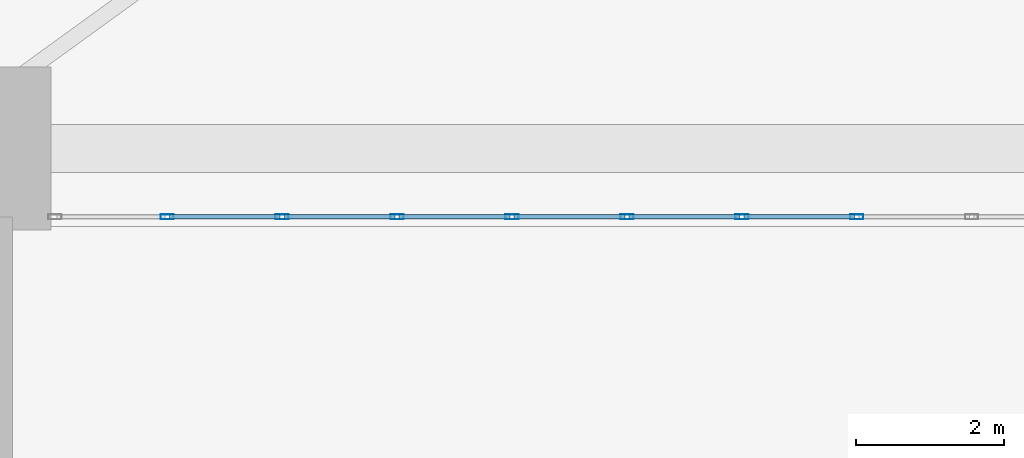
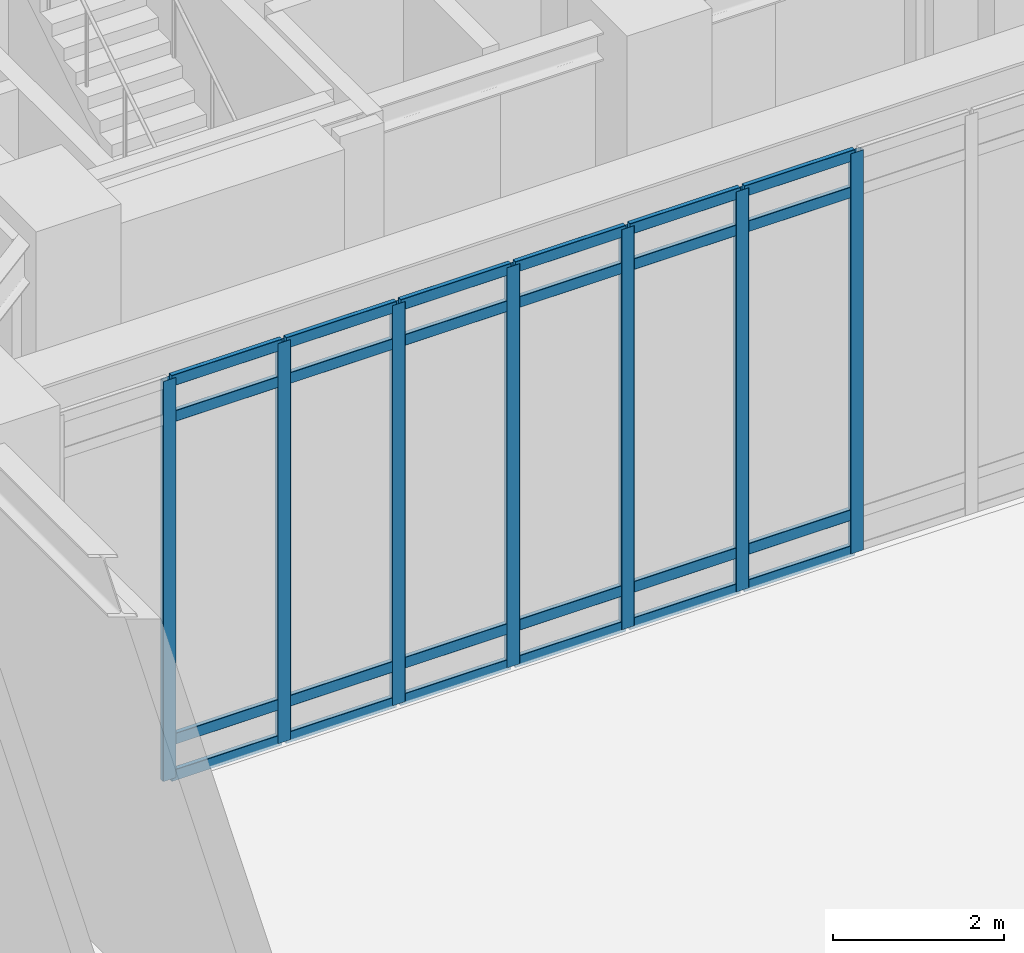
# One storey, part 4 of 27: 31 members, 1 element without a shape of its own.
"""IFC4 building model written with IfcOpenShell, lengths in metres."""

from ifc_helpers import new_model, si_unit, direction, frame, origin, origin_2d, place, context, subcontext, project, spatial, hollow_rectangle, extrude, material, layer, layer_set, material_profile, profile_set, type_object, element, aggregate, save


model = new_model("IFC4")

# Units and contexts
model_context = context("Model", 3, precision=1e-05, world=origin(), true_north=direction((0.0, 1.0)))
body_context = subcontext(model_context, "Body", "Model", "MODEL_VIEW")
ifc_project = project(units=[si_unit("LENGTHUNIT", "METRE"), si_unit("AREAUNIT", "SQUARE_METRE"), si_unit("VOLUMEUNIT", "CUBIC_METRE"), si_unit("PLANEANGLEUNIT", "RADIAN"), si_unit("MASSUNIT", "GRAM", prefix="KILO")], contexts=[model_context])

# Site, building, storey
site_placement = place(None, origin())
site = spatial("IfcSite", under=ifc_project, at=site_placement, CompositionType="ELEMENT")
building_placement = place(site_placement, origin())
building = spatial("IfcBuilding", under=site, at=building_placement, Name="Ndelora Gate Hotel", CompositionType="ELEMENT")
storey_placement = place(building_placement, origin())
storey = spatial("IfcBuildingStorey", under=building, at=storey_placement, Name="L00", CompositionType="ELEMENT", Elevation=0.0)

# Curtain wall, members
ifc_material_1 = material(Name="Bronze Anodised Unitised Aluminium and Low-E Glass", Category="aluminium")
ifc_layer = layer(ifc_material_1, 0.239990234375)
ifc_layer_set = layer_set([ifc_layer], Name="Bronze Anodised Unitised Aluminium and Low-E Glass")
curtain_wall_type = type_object("IfcCurtainWallType", Name="CW-SYS-1", PredefinedType="NOTDEFINED", material=ifc_layer_set)
curtain_wall_placement = place(storey_placement, origin())
curtain_wall = element("IfcCurtainWall", 1, at=curtain_wall_placement, inside=storey, type_object=curtain_wall_type, Name="L00 South Portal Arch Concourse Curtain Wall CW1", PredefinedType="NOTDEFINED")
ifc_material_2 = material(Name="Bronze Anodised Aluminium 6063-T6", Category="aluminium")
ifc_material_profile_1 = material_profile(ifc_material_2, hollow_rectangle(XDim=0.070068359375, YDim=0.179931640625, WallThickness=0.0048828125, InnerFilletRadius=0.0048828125, OuterFilletRadius=0.010009765625, at=origin_2d()), Name="ALU 180x70x5")
ifc_profile_set_1 = profile_set([ifc_material_profile_1], Name="Bronze Anodised Aluminium 6063-T6")
member_type_1 = type_object("IfcMemberType", Name="MB-CW-MUL180", PredefinedType="MULLION", material=ifc_profile_set_1)
member_1_placement = place(storey_placement, frame((-8.529296875, -10.320068359375, -0.00390625), z_axis=(0.0, 0.0, 1.0), x_axis=(0.0, 1.0, 0.0)))
member_1 = element("IfcMember", 2, at=member_1_placement, type_object=member_type_1, Name="CW1 mullion 2", PredefinedType="MULLION", context=body_context, shape_type="SweptSolid", body=[
    extrude(hollow_rectangle(XDim=0.070068359375, YDim=0.179931640625, WallThickness=0.0048828125, InnerFilletRadius=0.0048828125, OuterFilletRadius=0.010009765625, at=origin_2d()), origin(), (0.0, 0.0, 1.0), 5.72802734375),
])
member_2_placement = place(storey_placement, frame((-6.978515625, -10.320068359375, -0.00390625), z_axis=(0.0, 0.0, 1.0), x_axis=(0.0, 1.0, 0.0)))
member_2 = element("IfcMember", 3, at=member_2_placement, type_object=member_type_1, Name="CW1 mullion 3", PredefinedType="MULLION", context=body_context, shape_type="SweptSolid", body=[
    extrude(hollow_rectangle(XDim=0.070068359375, YDim=0.179931640625, WallThickness=0.0048828125, InnerFilletRadius=0.0048828125, OuterFilletRadius=0.010009765625, at=origin_2d()), origin(), (0.0, 0.0, 1.0), 5.72802734375),
])
member_3_placement = place(storey_placement, frame((-5.427734375, -10.320068359375, -0.00390625), z_axis=(0.0, 0.0, 1.0), x_axis=(0.0, 1.0, 0.0)))
member_3 = element("IfcMember", 4, at=member_3_placement, type_object=member_type_1, Name="CW1 mullion 4", PredefinedType="MULLION", context=body_context, shape_type="SweptSolid", body=[
    extrude(hollow_rectangle(XDim=0.070068359375, YDim=0.179931640625, WallThickness=0.0048828125, InnerFilletRadius=0.0048828125, OuterFilletRadius=0.010009765625, at=origin_2d()), origin(), (0.0, 0.0, 1.0), 5.72802734375),
])
member_4_placement = place(storey_placement, frame((-3.876953125, -10.320068359375, -0.00390625), z_axis=(0.0, 0.0, 1.0), x_axis=(0.0, 1.0, 0.0)))
member_4 = element("IfcMember", 5, at=member_4_placement, type_object=member_type_1, Name="CW1 mullion 5", PredefinedType="MULLION", context=body_context, shape_type="SweptSolid", body=[
    extrude(hollow_rectangle(XDim=0.070068359375, YDim=0.179931640625, WallThickness=0.0048828125, InnerFilletRadius=0.0048828125, OuterFilletRadius=0.010009765625, at=origin_2d()), origin(), (0.0, 0.0, 1.0), 5.72802734375),
])
member_5_placement = place(storey_placement, frame((-2.326171875, -10.320068359375, -0.00390625), z_axis=(0.0, 0.0, 1.0), x_axis=(0.0, 1.0, 0.0)))
member_5 = element("IfcMember", 6, at=member_5_placement, type_object=member_type_1, Name="CW1 mullion 6", PredefinedType="MULLION", context=body_context, shape_type="SweptSolid", body=[
    extrude(hollow_rectangle(XDim=0.070068359375, YDim=0.179931640625, WallThickness=0.0048828125, InnerFilletRadius=0.0048828125, OuterFilletRadius=0.010009765625, at=origin_2d()), origin(), (0.0, 0.0, 1.0), 5.72802734375),
])
member_6_placement = place(storey_placement, frame((-0.775390625, -10.320068359375, -0.00390625), z_axis=(0.0, 0.0, 1.0), x_axis=(0.0, 1.0, 0.0)))
member_6 = element("IfcMember", 7, at=member_6_placement, type_object=member_type_1, Name="CW1 mullion 7", PredefinedType="MULLION", context=body_context, shape_type="SweptSolid", body=[
    extrude(hollow_rectangle(XDim=0.070068359375, YDim=0.179931640625, WallThickness=0.0048828125, InnerFilletRadius=0.0048828125, OuterFilletRadius=0.010009765625, at=origin_2d()), origin(), (0.0, 0.0, 1.0), 5.72802734375),
])
member_7_placement = place(storey_placement, frame((0.775390625, -10.320068359375, -0.00390625), z_axis=(0.0, 0.0, 1.0), x_axis=(0.0, 1.0, 0.0)))
member_7 = element("IfcMember", 8, at=member_7_placement, type_object=member_type_1, Name="CW1 mullion 8", PredefinedType="MULLION", context=body_context, shape_type="SweptSolid", body=[
    extrude(hollow_rectangle(XDim=0.070068359375, YDim=0.179931640625, WallThickness=0.0048828125, InnerFilletRadius=0.0048828125, OuterFilletRadius=0.010009765625, at=origin_2d()), origin(), (0.0, 0.0, 1.0), 5.72802734375),
])
ifc_material_profile_2 = material_profile(ifc_material_2, hollow_rectangle(XDim=0.06494140625, YDim=0.159912109375, WallThickness=0.00390625, InnerFilletRadius=0.00390625, OuterFilletRadius=0.008056640625, at=origin_2d()), Name="ALU 160x65x4")
ifc_profile_set_2 = profile_set([ifc_material_profile_2], Name="Bronze Anodised Aluminium 6063-T6")
member_type_2 = type_object("IfcMemberType", Name="MB-CW-TRN150", PredefinedType="USERDEFINED", material=ifc_profile_set_2)
member_8_placement = place(storey_placement, frame((-8.500244140625, -10.320068359375, 0.032470703125), z_axis=(1.0, 0.0, 0.0), x_axis=(0.0, 1.0, 0.0)))
member_8 = element("IfcMember", 9, at=member_8_placement, type_object=member_type_2, Name="CW1 transom 2.1", ObjectType="TRANSOM", PredefinedType="USERDEFINED", context=body_context, shape_type="SweptSolid", body=[
    extrude(hollow_rectangle(XDim=0.06494140625, YDim=0.159912109375, WallThickness=0.00390625, InnerFilletRadius=0.00390625, OuterFilletRadius=0.008056640625, at=origin_2d()), origin(), (0.0, 0.0, 1.0), 1.49267578125),
])
member_9_placement = place(storey_placement, frame((-8.500244140625, -10.320068359375, 0.550048828125), z_axis=(1.0, 0.0, 0.0), x_axis=(0.0, 1.0, 0.0)))
member_9 = element("IfcMember", 10, at=member_9_placement, type_object=member_type_2, Name="CW1 transom 2.2", ObjectType="TRANSOM", PredefinedType="USERDEFINED", context=body_context, shape_type="SweptSolid", body=[
    extrude(hollow_rectangle(XDim=0.06494140625, YDim=0.159912109375, WallThickness=0.00390625, InnerFilletRadius=0.00390625, OuterFilletRadius=0.008056640625, at=origin_2d()), origin(), (0.0, 0.0, 1.0), 1.49267578125),
])
member_10_placement = place(storey_placement, frame((-8.500244140625, -10.320068359375, 5.169921875), z_axis=(1.0, 0.0, 0.0), x_axis=(0.0, 1.0, 0.0)))
member_10 = element("IfcMember", 11, at=member_10_placement, type_object=member_type_2, Name="CW1 transom 2.3", ObjectType="TRANSOM", PredefinedType="USERDEFINED", context=body_context, shape_type="SweptSolid", body=[
    extrude(hollow_rectangle(XDim=0.06494140625, YDim=0.159912109375, WallThickness=0.00390625, InnerFilletRadius=0.00390625, OuterFilletRadius=0.008056640625, at=origin_2d()), origin(), (0.0, 0.0, 1.0), 1.49267578125),
])
member_11_placement = place(storey_placement, frame((-8.500244140625, -10.320068359375, 5.6875), z_axis=(1.0, 0.0, 0.0), x_axis=(0.0, 1.0, 0.0)))
member_11 = element("IfcMember", 12, at=member_11_placement, type_object=member_type_2, Name="CW1 transom 2.4", ObjectType="TRANSOM", PredefinedType="USERDEFINED", context=body_context, shape_type="SweptSolid", body=[
    extrude(hollow_rectangle(XDim=0.06494140625, YDim=0.159912109375, WallThickness=0.00390625, InnerFilletRadius=0.00390625, OuterFilletRadius=0.008056640625, at=origin_2d()), origin(), (0.0, 0.0, 1.0), 1.49267578125),
])
member_12_placement = place(storey_placement, frame((-6.949462890625, -10.320068359375, 0.032470703125), z_axis=(1.0, 0.0, 0.0), x_axis=(0.0, 1.0, 0.0)))
member_12 = element("IfcMember", 13, at=member_12_placement, type_object=member_type_2, Name="CW1 transom 3.1", ObjectType="TRANSOM", PredefinedType="USERDEFINED", context=body_context, shape_type="SweptSolid", body=[
    extrude(hollow_rectangle(XDim=0.06494140625, YDim=0.159912109375, WallThickness=0.00390625, InnerFilletRadius=0.00390625, OuterFilletRadius=0.008056640625, at=origin_2d()), origin(), (0.0, 0.0, 1.0), 1.49267578125),
])
member_13_placement = place(storey_placement, frame((-6.949462890625, -10.320068359375, 0.550048828125), z_axis=(1.0, 0.0, 0.0), x_axis=(0.0, 1.0, 0.0)))
member_13 = element("IfcMember", 14, at=member_13_placement, type_object=member_type_2, Name="CW1 transom 3.2", ObjectType="TRANSOM", PredefinedType="USERDEFINED", context=body_context, shape_type="SweptSolid", body=[
    extrude(hollow_rectangle(XDim=0.06494140625, YDim=0.159912109375, WallThickness=0.00390625, InnerFilletRadius=0.00390625, OuterFilletRadius=0.008056640625, at=origin_2d()), origin(), (0.0, 0.0, 1.0), 1.49267578125),
])
member_14_placement = place(storey_placement, frame((-6.949462890625, -10.320068359375, 5.169921875), z_axis=(1.0, 0.0, 0.0), x_axis=(0.0, 1.0, 0.0)))
member_14 = element("IfcMember", 15, at=member_14_placement, type_object=member_type_2, Name="CW1 transom 3.3", ObjectType="TRANSOM", PredefinedType="USERDEFINED", context=body_context, shape_type="SweptSolid", body=[
    extrude(hollow_rectangle(XDim=0.06494140625, YDim=0.159912109375, WallThickness=0.00390625, InnerFilletRadius=0.00390625, OuterFilletRadius=0.008056640625, at=origin_2d()), origin(), (0.0, 0.0, 1.0), 1.49267578125),
])
member_15_placement = place(storey_placement, frame((-6.949462890625, -10.320068359375, 5.6875), z_axis=(1.0, 0.0, 0.0), x_axis=(0.0, 1.0, 0.0)))
member_15 = element("IfcMember", 16, at=member_15_placement, type_object=member_type_2, Name="CW1 transom 3.4", ObjectType="TRANSOM", PredefinedType="USERDEFINED", context=body_context, shape_type="SweptSolid", body=[
    extrude(hollow_rectangle(XDim=0.06494140625, YDim=0.159912109375, WallThickness=0.00390625, InnerFilletRadius=0.00390625, OuterFilletRadius=0.008056640625, at=origin_2d()), origin(), (0.0, 0.0, 1.0), 1.49267578125),
])
member_16_placement = place(storey_placement, frame((-5.398681640625, -10.320068359375, 0.032470703125), z_axis=(1.0, 0.0, 0.0), x_axis=(0.0, 1.0, 0.0)))
member_16 = element("IfcMember", 17, at=member_16_placement, type_object=member_type_2, Name="CW1 transom 4.1", ObjectType="TRANSOM", PredefinedType="USERDEFINED", context=body_context, shape_type="SweptSolid", body=[
    extrude(hollow_rectangle(XDim=0.06494140625, YDim=0.159912109375, WallThickness=0.00390625, InnerFilletRadius=0.00390625, OuterFilletRadius=0.008056640625, at=origin_2d()), origin(), (0.0, 0.0, 1.0), 1.49267578125),
])
member_17_placement = place(storey_placement, frame((-5.398681640625, -10.320068359375, 0.550048828125), z_axis=(1.0, 0.0, 0.0), x_axis=(0.0, 1.0, 0.0)))
member_17 = element("IfcMember", 18, at=member_17_placement, type_object=member_type_2, Name="CW1 transom 4.2", ObjectType="TRANSOM", PredefinedType="USERDEFINED", context=body_context, shape_type="SweptSolid", body=[
    extrude(hollow_rectangle(XDim=0.06494140625, YDim=0.159912109375, WallThickness=0.00390625, InnerFilletRadius=0.00390625, OuterFilletRadius=0.008056640625, at=origin_2d()), origin(), (0.0, 0.0, 1.0), 1.49267578125),
])
member_18_placement = place(storey_placement, frame((-5.398681640625, -10.320068359375, 5.169921875), z_axis=(1.0, 0.0, 0.0), x_axis=(0.0, 1.0, 0.0)))
member_18 = element("IfcMember", 19, at=member_18_placement, type_object=member_type_2, Name="CW1 transom 4.3", ObjectType="TRANSOM", PredefinedType="USERDEFINED", context=body_context, shape_type="SweptSolid", body=[
    extrude(hollow_rectangle(XDim=0.06494140625, YDim=0.159912109375, WallThickness=0.00390625, InnerFilletRadius=0.00390625, OuterFilletRadius=0.008056640625, at=origin_2d()), origin(), (0.0, 0.0, 1.0), 1.49267578125),
])
member_19_placement = place(storey_placement, frame((-5.398681640625, -10.320068359375, 5.6875), z_axis=(1.0, 0.0, 0.0), x_axis=(0.0, 1.0, 0.0)))
member_19 = element("IfcMember", 20, at=member_19_placement, type_object=member_type_2, Name="CW1 transom 4.4", ObjectType="TRANSOM", PredefinedType="USERDEFINED", context=body_context, shape_type="SweptSolid", body=[
    extrude(hollow_rectangle(XDim=0.06494140625, YDim=0.159912109375, WallThickness=0.00390625, InnerFilletRadius=0.00390625, OuterFilletRadius=0.008056640625, at=origin_2d()), origin(), (0.0, 0.0, 1.0), 1.49267578125),
])
member_20_placement = place(storey_placement, frame((-3.847900390625, -10.320068359375, 0.032470703125), z_axis=(1.0, 0.0, 0.0), x_axis=(0.0, 1.0, 0.0)))
member_20 = element("IfcMember", 21, at=member_20_placement, type_object=member_type_2, Name="CW1 transom 5.1", ObjectType="TRANSOM", PredefinedType="USERDEFINED", context=body_context, shape_type="SweptSolid", body=[
    extrude(hollow_rectangle(XDim=0.06494140625, YDim=0.159912109375, WallThickness=0.00390625, InnerFilletRadius=0.00390625, OuterFilletRadius=0.008056640625, at=origin_2d()), origin(), (0.0, 0.0, 1.0), 1.49267578125),
])
member_21_placement = place(storey_placement, frame((-3.847900390625, -10.320068359375, 0.550048828125), z_axis=(1.0, 0.0, 0.0), x_axis=(0.0, 1.0, 0.0)))
member_21 = element("IfcMember", 22, at=member_21_placement, type_object=member_type_2, Name="CW1 transom 5.2", ObjectType="TRANSOM", PredefinedType="USERDEFINED", context=body_context, shape_type="SweptSolid", body=[
    extrude(hollow_rectangle(XDim=0.06494140625, YDim=0.159912109375, WallThickness=0.00390625, InnerFilletRadius=0.00390625, OuterFilletRadius=0.008056640625, at=origin_2d()), origin(), (0.0, 0.0, 1.0), 1.49267578125),
])
member_22_placement = place(storey_placement, frame((-3.847900390625, -10.320068359375, 5.169921875), z_axis=(1.0, 0.0, 0.0), x_axis=(0.0, 1.0, 0.0)))
member_22 = element("IfcMember", 23, at=member_22_placement, type_object=member_type_2, Name="CW1 transom 5.3", ObjectType="TRANSOM", PredefinedType="USERDEFINED", context=body_context, shape_type="SweptSolid", body=[
    extrude(hollow_rectangle(XDim=0.06494140625, YDim=0.159912109375, WallThickness=0.00390625, InnerFilletRadius=0.00390625, OuterFilletRadius=0.008056640625, at=origin_2d()), origin(), (0.0, 0.0, 1.0), 1.49267578125),
])
member_23_placement = place(storey_placement, frame((-3.847900390625, -10.320068359375, 5.6875), z_axis=(1.0, 0.0, 0.0), x_axis=(0.0, 1.0, 0.0)))
member_23 = element("IfcMember", 24, at=member_23_placement, type_object=member_type_2, Name="CW1 transom 5.4", ObjectType="TRANSOM", PredefinedType="USERDEFINED", context=body_context, shape_type="SweptSolid", body=[
    extrude(hollow_rectangle(XDim=0.06494140625, YDim=0.159912109375, WallThickness=0.00390625, InnerFilletRadius=0.00390625, OuterFilletRadius=0.008056640625, at=origin_2d()), origin(), (0.0, 0.0, 1.0), 1.49267578125),
])
member_24_placement = place(storey_placement, frame((-2.297119140625, -10.320068359375, 0.032470703125), z_axis=(1.0, 0.0, 0.0), x_axis=(0.0, 1.0, 0.0)))
member_24 = element("IfcMember", 25, at=member_24_placement, type_object=member_type_2, Name="CW1 transom 6.1", ObjectType="TRANSOM", PredefinedType="USERDEFINED", context=body_context, shape_type="SweptSolid", body=[
    extrude(hollow_rectangle(XDim=0.06494140625, YDim=0.159912109375, WallThickness=0.00390625, InnerFilletRadius=0.00390625, OuterFilletRadius=0.008056640625, at=origin_2d()), origin(), (0.0, 0.0, 1.0), 1.49267578125),
])
member_25_placement = place(storey_placement, frame((-2.297119140625, -10.320068359375, 0.550048828125), z_axis=(1.0, 0.0, 0.0), x_axis=(0.0, 1.0, 0.0)))
member_25 = element("IfcMember", 26, at=member_25_placement, type_object=member_type_2, Name="CW1 transom 6.2", ObjectType="TRANSOM", PredefinedType="USERDEFINED", context=body_context, shape_type="SweptSolid", body=[
    extrude(hollow_rectangle(XDim=0.06494140625, YDim=0.159912109375, WallThickness=0.00390625, InnerFilletRadius=0.00390625, OuterFilletRadius=0.008056640625, at=origin_2d()), origin(), (0.0, 0.0, 1.0), 1.49267578125),
])
member_26_placement = place(storey_placement, frame((-2.297119140625, -10.320068359375, 5.169921875), z_axis=(1.0, 0.0, 0.0), x_axis=(0.0, 1.0, 0.0)))
member_26 = element("IfcMember", 27, at=member_26_placement, type_object=member_type_2, Name="CW1 transom 6.3", ObjectType="TRANSOM", PredefinedType="USERDEFINED", context=body_context, shape_type="SweptSolid", body=[
    extrude(hollow_rectangle(XDim=0.06494140625, YDim=0.159912109375, WallThickness=0.00390625, InnerFilletRadius=0.00390625, OuterFilletRadius=0.008056640625, at=origin_2d()), origin(), (0.0, 0.0, 1.0), 1.49267578125),
])
member_27_placement = place(storey_placement, frame((-2.297119140625, -10.320068359375, 5.6875), z_axis=(1.0, 0.0, 0.0), x_axis=(0.0, 1.0, 0.0)))
member_27 = element("IfcMember", 28, at=member_27_placement, type_object=member_type_2, Name="CW1 transom 6.4", ObjectType="TRANSOM", PredefinedType="USERDEFINED", context=body_context, shape_type="SweptSolid", body=[
    extrude(hollow_rectangle(XDim=0.06494140625, YDim=0.159912109375, WallThickness=0.00390625, InnerFilletRadius=0.00390625, OuterFilletRadius=0.008056640625, at=origin_2d()), origin(), (0.0, 0.0, 1.0), 1.49267578125),
])
member_28_placement = place(storey_placement, frame((-0.746337890625, -10.320068359375, 0.032470703125), z_axis=(1.0, 0.0, 0.0), x_axis=(0.0, 1.0, 0.0)))
member_28 = element("IfcMember", 29, at=member_28_placement, type_object=member_type_2, Name="CW1 transom 7.1", ObjectType="TRANSOM", PredefinedType="USERDEFINED", context=body_context, shape_type="SweptSolid", body=[
    extrude(hollow_rectangle(XDim=0.06494140625, YDim=0.159912109375, WallThickness=0.00390625, InnerFilletRadius=0.00390625, OuterFilletRadius=0.008056640625, at=origin_2d()), origin(), (0.0, 0.0, 1.0), 1.49267578125),
])
member_29_placement = place(storey_placement, frame((-0.746337890625, -10.320068359375, 0.550048828125), z_axis=(1.0, 0.0, 0.0), x_axis=(0.0, 1.0, 0.0)))
member_29 = element("IfcMember", 30, at=member_29_placement, type_object=member_type_2, Name="CW1 transom 7.2", ObjectType="TRANSOM", PredefinedType="USERDEFINED", context=body_context, shape_type="SweptSolid", body=[
    extrude(hollow_rectangle(XDim=0.06494140625, YDim=0.159912109375, WallThickness=0.00390625, InnerFilletRadius=0.00390625, OuterFilletRadius=0.008056640625, at=origin_2d()), origin(), (0.0, 0.0, 1.0), 1.49267578125),
])
member_30_placement = place(storey_placement, frame((-0.746337890625, -10.320068359375, 5.169921875), z_axis=(1.0, 0.0, 0.0), x_axis=(0.0, 1.0, 0.0)))
member_30 = element("IfcMember", 31, at=member_30_placement, type_object=member_type_2, Name="CW1 transom 7.3", ObjectType="TRANSOM", PredefinedType="USERDEFINED", context=body_context, shape_type="SweptSolid", body=[
    extrude(hollow_rectangle(XDim=0.06494140625, YDim=0.159912109375, WallThickness=0.00390625, InnerFilletRadius=0.00390625, OuterFilletRadius=0.008056640625, at=origin_2d()), origin(), (0.0, 0.0, 1.0), 1.49267578125),
])
member_31_placement = place(storey_placement, frame((-0.746337890625, -10.320068359375, 5.6875), z_axis=(1.0, 0.0, 0.0), x_axis=(0.0, 1.0, 0.0)))
member_31 = element("IfcMember", 32, at=member_31_placement, type_object=member_type_2, Name="CW1 transom 7.4", ObjectType="TRANSOM", PredefinedType="USERDEFINED", context=body_context, shape_type="SweptSolid", body=[
    extrude(hollow_rectangle(XDim=0.06494140625, YDim=0.159912109375, WallThickness=0.00390625, InnerFilletRadius=0.00390625, OuterFilletRadius=0.008056640625, at=origin_2d()), origin(), (0.0, 0.0, 1.0), 1.49267578125),
])
aggregate(curtain_wall, [member_1, member_2, member_3, member_4, member_5, member_6, member_7, member_8, member_9, member_10, member_11, member_12, member_13, member_14, member_15, member_16, member_17, member_18, member_19, member_20, member_21, member_22, member_23, member_24, member_25, member_26, member_27, member_28, member_29, member_30, member_31])

save(model, "model.ifc")
